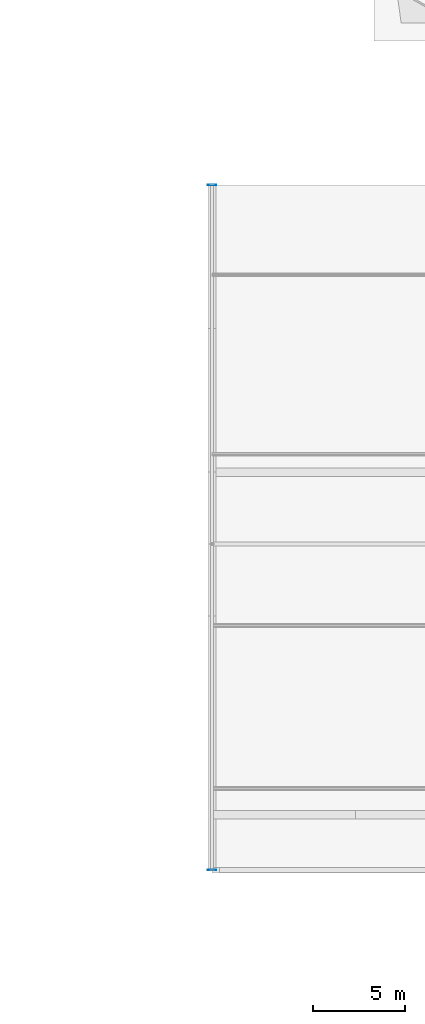
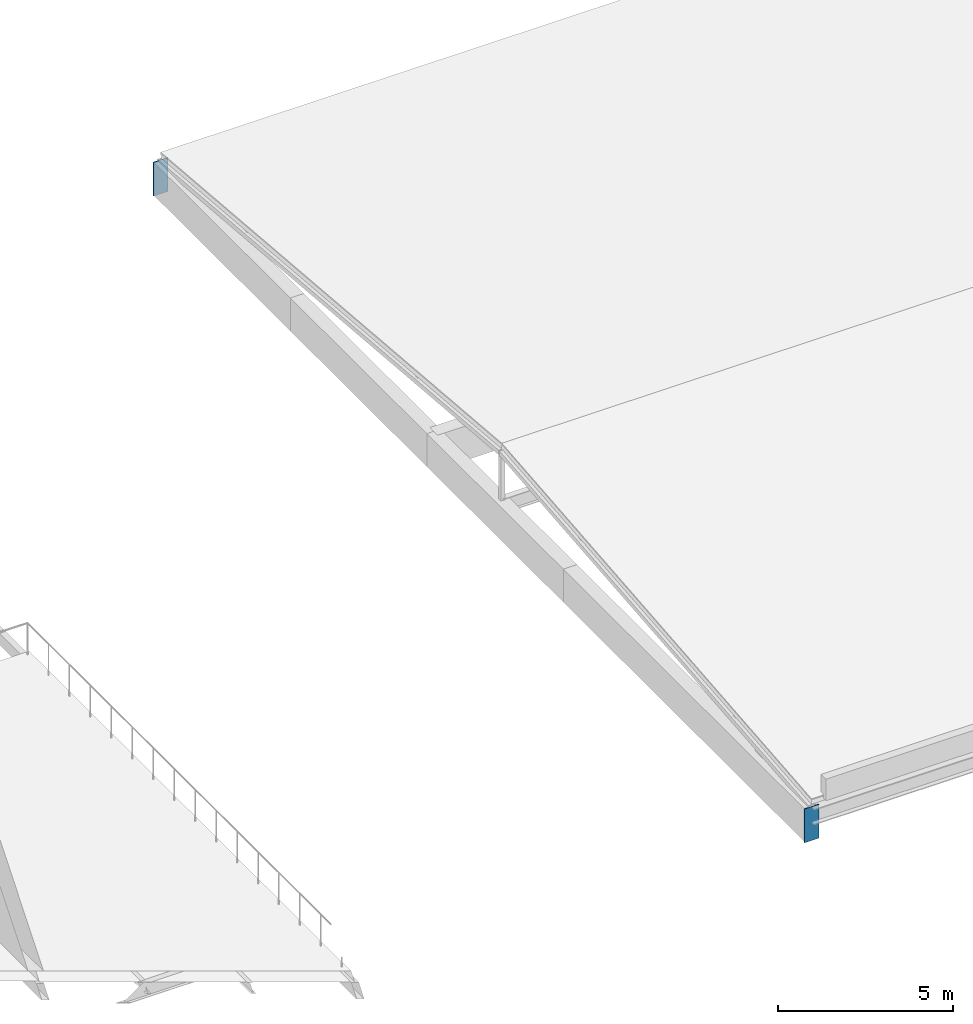
# One storey, part 17 of 45: 2 plates.
"""IFC4 building model written with IfcOpenShell, lengths in metres."""

from ifc_helpers import new_model, si_unit, direction, frame, origin, origin_2d, place, context, subcontext, project, spatial, rectangle, extrude, material, layer, layer_set, type_object, element, save


model = new_model("IFC4")

# Units and contexts
model_context = context("Model", 3, precision=1e-05, world=origin(), true_north=direction((0.0, 1.0)))
body_context = subcontext(model_context, "Body", "Model", "MODEL_VIEW")
ifc_project = project(units=[si_unit("LENGTHUNIT", "METRE"), si_unit("AREAUNIT", "SQUARE_METRE"), si_unit("VOLUMEUNIT", "CUBIC_METRE"), si_unit("PLANEANGLEUNIT", "RADIAN"), si_unit("MASSUNIT", "GRAM", prefix="KILO")], contexts=[model_context])

# Site, building, storey
site_placement = place(None, origin())
site = spatial("IfcSite", under=ifc_project, at=site_placement, CompositionType="ELEMENT")
building_placement = place(site_placement, origin())
building = spatial("IfcBuilding", under=site, at=building_placement, Name="Celorna Specialist Clinic", CompositionType="ELEMENT")
storey_placement = place(building_placement, frame((0.0, 0.0, 18.60009765625)))
storey = spatial("IfcBuildingStorey", under=building, at=storey_placement, Name="L04", CompositionType="ELEMENT", Elevation=18.60009765625)

# Plates
ifc_material = material(Name="Steel S355", Category="steel")
ifc_layer = layer(ifc_material, 0.02490234375, Name="Steel S355")
ifc_layer_set = layer_set([ifc_layer], Name="Steel S355")
plate_type = type_object("IfcPlateType", Name="EP-01", PredefinedType="SHEET", material=ifc_layer_set)
for number, where, z_axis, x_axis, name in (
    (1, (54.60009765625, 5.699951171875, -1.3251953125), (0.0, 0.0, 1.0), (1.0, 0.0, 0.0), "Truss chord end cap plate EP-01 #5"),
    (2, (54.60009765625, 42.89990234375, -1.3251953125), (0.0, 0.0, 1.0), (1.0, 0.0, 0.0), "Truss chord end cap plate EP-01 #6"),
):
    element("IfcPlate", number, at=place(storey_placement, frame(where, z_axis=z_axis, x_axis=x_axis)), inside=storey, type_object=plate_type, Name=name, PredefinedType="SHEET", context=body_context, shape_type="SweptSolid", body=[
        extrude(rectangle(XDim=0.47998046875, YDim=0.02490234375, at=origin_2d()), origin(), (0.0, 0.0, 1.0), 1.179931640625),
    ])

save(model, "model.ifc")
